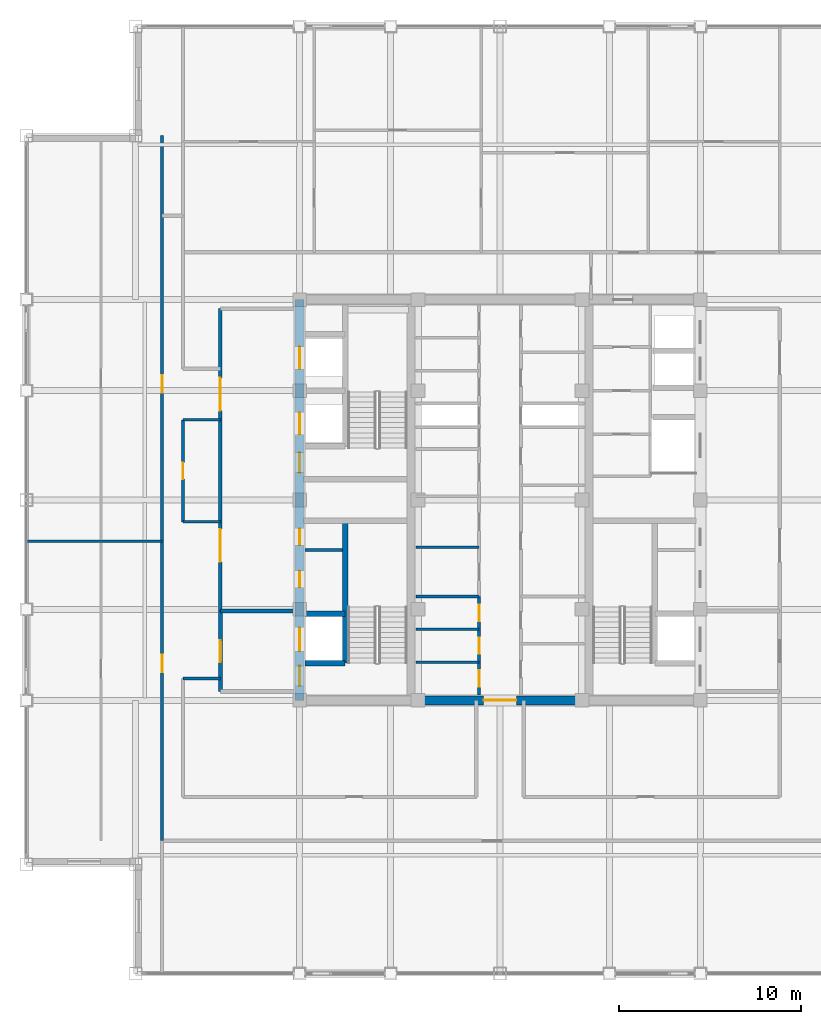
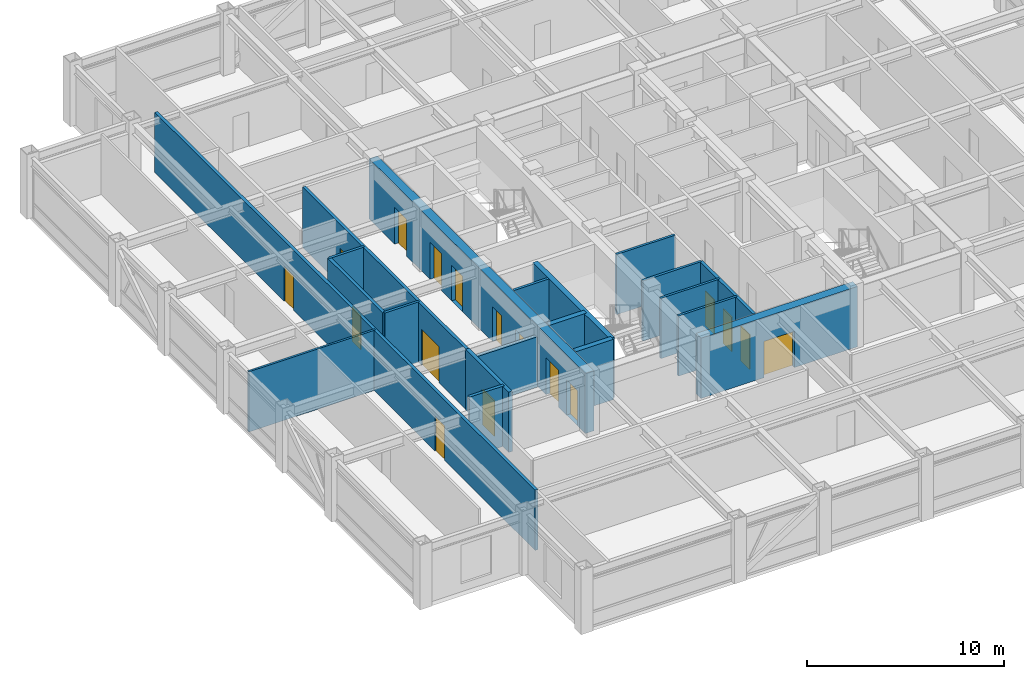
# One storey, part 24 of 29: 20 walls, 17 doors, 17 openings.
"""IFC4 building model written with IfcOpenShell, lengths in metres."""

from ifc_helpers import new_model, si_unit, direction, frame, frame_2d, origin, place, context, subcontext, project, spatial, rectangle, extrude, source, transform, mapped, material, layer, layer_set, type_object, element, fill, save


model = new_model("IFC4")

# Units and contexts
model_context = context("Model", 3, precision=1e-05, world=origin(), true_north=direction((0.0, 1.0)))
body_context = subcontext(model_context, "Body", "Model", "MODEL_VIEW")
ifc_project = project(units=[si_unit("LENGTHUNIT", "METRE"), si_unit("AREAUNIT", "SQUARE_METRE"), si_unit("VOLUMEUNIT", "CUBIC_METRE"), si_unit("PLANEANGLEUNIT", "RADIAN"), si_unit("MASSUNIT", "GRAM", prefix="KILO")], contexts=[model_context])

# Site, building, storey
site_placement = place(None, origin())
site = spatial("IfcSite", under=ifc_project, at=site_placement, CompositionType="ELEMENT")
building_placement = place(site_placement, origin())
building = spatial("IfcBuilding", under=site, at=building_placement, Name="Khorayat Bourse Tower", CompositionType="ELEMENT")
storey_placement = place(building_placement, frame((0.0, 0.0, 366.300048828125)))
storey = spatial("IfcBuildingStorey", under=building, at=storey_placement, Name="L87", CompositionType="ELEMENT", Elevation=366.300048828125)

# Wall, openings, doors
ifc_material_1 = material(Name="Concrete C52/65", Category="concrete")
ifc_layer_1 = layer(ifc_material_1, 0.5)
ifc_layer_set_1 = layer_set([ifc_layer_1], Name="Concrete C52/65")
wall_type_1 = type_object("IfcWallType", Name="WAL-CORE-500", PredefinedType="SHEAR", material=ifc_layer_set_1)
shared_shape_1 = source(origin(), body_context, "Body", "SweptSolid", [
    extrude(rectangle(XDim=22.0, YDim=0.5, at=frame_2d((11.0, 0.0))), origin(), (0.0, 0.0, 1.0), 3.739990234375),
])
wall_1_placement = place(storey_placement, frame((-11.0, -11.0, 0.0), z_axis=(0.0, 0.0, 1.0), x_axis=(0.0, 1.0, 0.0)))
wall_1 = element("IfcWall", 1, at=wall_1_placement, inside=storey, type_object=wall_type_1, Name="L87 Core Shear Wall CORE-W", PredefinedType="SHEAR", context=body_context, shape_type="MappedRepresentation", body=[
    mapped(shared_shape_1, transform((0.0, 0.0, 0.0), scale=1.0)),
])
shared_shape_2 = source(origin(), body_context, "Body", "SweptSolid", [
    extrude(rectangle(XDim=1.10009765625, YDim=2.199951171875, at=frame_2d((0.550048828125, 1.10009765625))), frame((0.0, 0.260009765625, 0.0), z_axis=(0.0, -1.0, 0.0), x_axis=(1.0, 0.0, 0.0)), (0.0, 0.0, 1.0), 0.52001953125),
])
opening_1_placement = place(wall_1_placement, frame((0.800048828125, 0.0, 0.0)))
opening_1 = element("IfcOpeningElement", 2, at=opening_1_placement, cuts=wall_1, Name="Opening DI-01", PredefinedType="OPENING", context=body_context, shape_type="MappedRepresentation", body=[
    mapped(shared_shape_2, transform((0.0, 0.0, 0.0), scale=1.0)),
])
opening_2_placement = place(wall_1_placement, frame((12.5, 0.0, 0.0)))
opening_2 = element("IfcOpeningElement", 3, at=opening_2_placement, cuts=wall_1, Name="Opening DI-01", PredefinedType="OPENING", context=body_context, shape_type="MappedRepresentation", body=[
    mapped(shared_shape_2, transform((0.0, 0.0, 0.0), scale=1.0)),
])
shared_shape_3 = source(origin(), body_context, "Body", "SweptSolid", [
    extrude(rectangle(XDim=0.89990234375, YDim=2.14990234375, at=frame_2d((0.449951171875, 1.074951171875))), frame((0.0, 0.260009765625, 0.0), z_axis=(0.0, -1.0, 0.0), x_axis=(1.0, 0.0, 0.0)), (0.0, 0.0, 1.0), 0.52001953125),
])
opening_3_placement = place(wall_1_placement, frame((6.199951171875, 0.0, 0.0)))
opening_3 = element("IfcOpeningElement", 4, at=opening_3_placement, cuts=wall_1, Name="Opening DI-06", PredefinedType="OPENING", context=body_context, shape_type="MappedRepresentation", body=[
    mapped(shared_shape_3, transform((0.0, 0.0, 0.0), scale=1.0)),
])
opening_4_placement = place(wall_1_placement, frame((8.52490234375, 0.0, 0.0)))
opening_4 = element("IfcOpeningElement", 5, at=opening_4_placement, cuts=wall_1, Name="Opening DI-06", PredefinedType="OPENING", context=body_context, shape_type="MappedRepresentation", body=[
    mapped(shared_shape_3, transform((0.0, 0.0, 0.0), scale=1.0)),
])
shared_shape_4 = source(origin(), body_context, "Body", "SweptSolid", [
    extrude(rectangle(XDim=1.199951171875, YDim=2.300048828125, at=frame_2d((0.60009765625, 1.14990234375))), frame((0.0, 0.260009765625, 0.0), z_axis=(0.0, -1.0, 0.0), x_axis=(1.0, 0.0, 0.0)), (0.0, 0.0, 1.0), 0.52001953125),
])
opening_5_placement = place(wall_1_placement, frame((14.60009765625, 0.0, 0.0)))
opening_5 = element("IfcOpeningElement", 6, at=opening_5_placement, cuts=wall_1, Name="Opening LD-01", PredefinedType="OPENING", context=body_context, shape_type="MappedRepresentation", body=[
    mapped(shared_shape_4, transform((0.0, 0.0, 0.0), scale=1.0)),
])
opening_6_placement = place(wall_1_placement, frame((18.199951171875, 0.0, 0.0)))
opening_6 = element("IfcOpeningElement", 7, at=opening_6_placement, cuts=wall_1, Name="Opening LD-01", PredefinedType="OPENING", context=body_context, shape_type="MappedRepresentation", body=[
    mapped(shared_shape_4, transform((0.0, 0.0, 0.0), scale=1.0)),
])
shared_shape_5 = source(origin(), body_context, "Body", "SweptSolid", [
    extrude(rectangle(XDim=1.300048828125, YDim=2.300048828125, at=frame_2d((0.64990234375, 1.14990234375))), frame((0.0, 0.260009765625, 0.0), z_axis=(0.0, -1.0, 0.0), x_axis=(1.0, 0.0, 0.0)), (0.0, 0.0, 1.0), 0.52001953125),
])
opening_7_placement = place(wall_1_placement, frame((2.699951171875, 0.0, 0.0)))
opening_7 = element("IfcOpeningElement", 8, at=opening_7_placement, cuts=wall_1, Name="Opening LD-02", PredefinedType="OPENING", context=body_context, shape_type="MappedRepresentation", body=[
    mapped(shared_shape_5, transform((0.0, 0.0, 0.0), scale=1.0)),
])
ifc_material_2 = material(Name="Fire-rated steel acoustic leaf", Category="steel")
door_type_1 = type_object("IfcDoorType", Name="DR-INT-STAIR-1100", OperationType="NOTDEFINED", PredefinedType="DOOR", material=ifc_material_2)
shared_shape_6 = source(origin(), body_context, "Body", "SweptSolid", [
    extrude(rectangle(XDim=1.10009765625, YDim=2.199951171875, at=frame_2d((0.550048828125, 1.10009765625))), frame((0.0, 0.02490234375, 0.0), z_axis=(0.0, -1.0, 0.0), x_axis=(1.0, 0.0, 0.0)), (0.0, 0.0, 1.0), 0.050048828125),
])
door_1_placement = place(opening_1_placement, origin())
door_1 = element("IfcDoor", 9, at=door_1_placement, inside=storey, type_object=door_type_1, Name="L87 Exit Stair 1 Door", OperationType="SINGLE_SWING_RIGHT", OverallHeight=2.199951171875, OverallWidth=1.10009765625, PredefinedType="DOOR", context=body_context, shape_type="MappedRepresentation", body=[
    mapped(shared_shape_6, transform((0.0, 0.0, 0.0), scale=1.0)),
])
fill(opening_1, door_1)
door_2_placement = place(opening_2_placement, origin())
door_2 = element("IfcDoor", 10, at=door_2_placement, inside=storey, type_object=door_type_1, Name="L87 Exit Stair 2 Door", OperationType="SINGLE_SWING_RIGHT", OverallHeight=2.199951171875, OverallWidth=1.10009765625, PredefinedType="DOOR", context=body_context, shape_type="MappedRepresentation", body=[
    mapped(shared_shape_6, transform((0.0, 0.0, 0.0), scale=1.0)),
])
fill(opening_2, door_2)
ifc_material_3 = material(Name="Moisture-resistant laminate washroom door")
door_type_2 = type_object("IfcDoorType", Name="DR-INT-WC-900", OperationType="NOTDEFINED", PredefinedType="DOOR", material=ifc_material_3)
shared_shape_7 = source(origin(), body_context, "Body", "SweptSolid", [
    extrude(rectangle(XDim=0.89990234375, YDim=2.14990234375, at=frame_2d((0.449951171875, 1.074951171875))), frame((0.0, 0.02490234375, 0.0), z_axis=(0.0, -1.0, 0.0), x_axis=(1.0, 0.0, 0.0)), (0.0, 0.0, 1.0), 0.050048828125),
])
door_3_placement = place(opening_3_placement, origin())
door_3 = element("IfcDoor", 11, at=door_3_placement, inside=storey, type_object=door_type_2, Name="L87 Switch Closet Door", OperationType="SINGLE_SWING_RIGHT", OverallHeight=2.14990234375, OverallWidth=0.89990234375, PredefinedType="DOOR", context=body_context, shape_type="MappedRepresentation", body=[
    mapped(shared_shape_7, transform((0.0, 0.0, 0.0), scale=1.0)),
])
fill(opening_3, door_3)
door_4_placement = place(opening_4_placement, origin())
door_4 = element("IfcDoor", 12, at=door_4_placement, inside=storey, type_object=door_type_2, Name="L87 Janitor Store Door", OperationType="SINGLE_SWING_LEFT", OverallHeight=2.14990234375, OverallWidth=0.89990234375, PredefinedType="DOOR", context=body_context, shape_type="MappedRepresentation", body=[
    mapped(shared_shape_7, transform((0.0, 0.0, 0.0), scale=1.0)),
])
fill(opening_4, door_4)
ifc_material_4 = material(Name="Brushed bronze stainless-steel sliding door", Category="steel")
door_type_3 = type_object("IfcDoorType", Name="DR-LIFT-PASS-1200", OperationType="NOTDEFINED", PredefinedType="DOOR", material=ifc_material_4)
shared_shape_8 = source(origin(), body_context, "Body", "SweptSolid", [
    extrude(rectangle(XDim=1.199951171875, YDim=2.300048828125, at=frame_2d((0.60009765625, 1.14990234375))), frame((0.0, 0.02490234375, 0.0), z_axis=(0.0, -1.0, 0.0), x_axis=(1.0, 0.0, 0.0)), (0.0, 0.0, 1.0), 0.050048828125),
])
door_5_placement = place(opening_5_placement, origin())
door_5 = element("IfcDoor", 13, at=door_5_placement, inside=storey, type_object=door_type_3, Name="L87 Lift PL-H1 Sliding Landing Door", OperationType="SLIDING_TO_LEFT", OverallHeight=2.300048828125, OverallWidth=1.199951171875, PredefinedType="DOOR", context=body_context, shape_type="MappedRepresentation", body=[
    mapped(shared_shape_8, transform((0.0, 0.0, 0.0), scale=1.0)),
])
fill(opening_5, door_5)
door_6_placement = place(opening_6_placement, origin())
door_6 = element("IfcDoor", 14, at=door_6_placement, inside=storey, type_object=door_type_3, Name="L87 Lift PL-H2 Sliding Landing Door", OperationType="SLIDING_TO_LEFT", OverallHeight=2.300048828125, OverallWidth=1.199951171875, PredefinedType="DOOR", context=body_context, shape_type="MappedRepresentation", body=[
    mapped(shared_shape_8, transform((0.0, 0.0, 0.0), scale=1.0)),
])
fill(opening_6, door_6)
ifc_material_5 = material(Name="Fire-rated stainless-steel sliding landing door", Category="steel")
door_type_4 = type_object("IfcDoorType", Name="DR-LIFT-FF-1300", OperationType="NOTDEFINED", PredefinedType="DOOR", material=ifc_material_5)
shared_shape_9 = source(origin(), body_context, "Body", "SweptSolid", [
    extrude(rectangle(XDim=1.300048828125, YDim=2.300048828125, at=frame_2d((0.64990234375, 1.14990234375))), frame((0.0, 0.02490234375, 0.0), z_axis=(0.0, -1.0, 0.0), x_axis=(1.0, 0.0, 0.0)), (0.0, 0.0, 1.0), 0.050048828125),
])
door_7_placement = place(opening_7_placement, origin())
door_7 = element("IfcDoor", 15, at=door_7_placement, inside=storey, type_object=door_type_4, Name="L87 Lift FFL-01 Sliding Landing Door", OperationType="SLIDING_TO_LEFT", OverallHeight=2.300048828125, OverallWidth=1.300048828125, PredefinedType="DOOR", context=body_context, shape_type="MappedRepresentation", body=[
    mapped(shared_shape_9, transform((0.0, 0.0, 0.0), scale=1.0)),
])
fill(opening_7, door_7)

# Wall, opening, door
shared_shape_10 = source(origin(), body_context, "Body", "SweptSolid", [
    extrude(rectangle(XDim=9.2001953125, YDim=0.5, at=frame_2d((4.60009765625, 0.0))), origin(), (0.0, 0.0, 1.0), 3.739990234375),
])
wall_2_placement = place(storey_placement, frame((-4.60009765625, -11.0, 0.0), z_axis=(0.0, 0.0, 1.0), x_axis=(1.0, 0.0, 0.0)))
wall_2 = element("IfcWall", 16, at=wall_2_placement, inside=storey, type_object=wall_type_1, Name="L87 Core Shear Wall CORE-S", PredefinedType="SHEAR", context=body_context, shape_type="MappedRepresentation", body=[
    mapped(shared_shape_10, transform((0.0, 0.0, 0.0), scale=1.0)),
])
shared_shape_11 = source(origin(), body_context, "Body", "SweptSolid", [
    extrude(rectangle(XDim=1.800048828125, YDim=2.25, at=frame_2d((0.89990234375, 1.125))), frame((0.0, 0.260009765625, 0.0), z_axis=(0.0, -1.0, 0.0), x_axis=(1.0, 0.0, 0.0)), (0.0, 0.0, 1.0), 0.52001953125),
])
opening_8_placement = place(wall_2_placement, frame((3.699951171875, 0.0, 0.0)))
opening_8 = element("IfcOpeningElement", 17, at=opening_8_placement, cuts=wall_2, Name="Opening DI-03", PredefinedType="OPENING", context=body_context, shape_type="MappedRepresentation", body=[
    mapped(shared_shape_11, transform((0.0, 0.0, 0.0), scale=1.0)),
])
ifc_material_6 = material(Name="Fire-rated hardwood vision-panel double leaf", Category="wood")
door_type_5 = type_object("IfcDoorType", Name="DR-INT-CORR-1800", OperationType="NOTDEFINED", PredefinedType="DOOR", material=ifc_material_6)
shared_shape_12 = source(origin(), body_context, "Body", "SweptSolid", [
    extrude(rectangle(XDim=1.800048828125, YDim=2.25, at=frame_2d((0.89990234375, 1.125))), frame((0.0, 0.02490234375, 0.0), z_axis=(0.0, -1.0, 0.0), x_axis=(1.0, 0.0, 0.0)), (0.0, 0.0, 1.0), 0.050048828125),
])
door_8_placement = place(opening_8_placement, origin())
door_8 = element("IfcDoor", 18, at=door_8_placement, inside=storey, type_object=door_type_5, Name="L87 Central Core South Passage Door", OperationType="SINGLE_SWING_LEFT", OverallHeight=2.25, OverallWidth=1.800048828125, PredefinedType="DOOR", context=body_context, shape_type="MappedRepresentation", body=[
    mapped(shared_shape_12, transform((0.0, 0.0, 0.0), scale=1.0)),
])
fill(opening_8, door_8)

# Walls
ifc_material_7 = material(Name="Concrete C50/60", Category="concrete")
ifc_layer_2 = layer(ifc_material_7, 0.300048828125)
ifc_layer_set_2 = layer_set([ifc_layer_2], Name="Concrete C50/60")
wall_type_2 = type_object("IfcWallType", Name="WAL-SHAFT-300", PredefinedType="SHEAR", material=ifc_layer_set_2)
shared_shape_13 = source(origin(), body_context, "Body", "SweptSolid", [
    extrude(rectangle(XDim=7.800048828125, YDim=0.300048828125, at=frame_2d((3.89990234375, 0.0))), origin(), (0.0, 0.0, 1.0), 3.739990234375),
])
wall_3_placement = place(storey_placement, frame((-8.5, -8.949951171875, 0.0), z_axis=(0.0, 0.0, 1.0), x_axis=(0.0, 1.0, 0.0)))
element("IfcWall", 19, at=wall_3_placement, inside=storey, type_object=wall_type_2, Name="L87 Partition WAL-L87-WPIER-SP", PredefinedType="SHEAR", context=body_context, shape_type="MappedRepresentation", body=[
    mapped(shared_shape_13, transform((0.0, 0.0, 0.0), scale=1.0)),
])
shared_shape_14 = source(origin(), body_context, "Body", "SweptSolid", [
    extrude(rectangle(XDim=2.199951171875, YDim=0.300048828125, at=frame_2d((1.10009765625, 0.0))), origin(), (0.0, 0.0, 1.0), 3.739990234375),
])
for number, where, z_axis, x_axis, name in (
    (20, (-10.699951171875, -8.949951171875, 0.0), (0.0, 0.0, 1.0), (1.0, 0.0, 0.0), "L87 Partition WAL-L87-WPIER-FF1S"),
    (21, (-10.699951171875, -6.25, 0.0), (0.0, 0.0, 1.0), (1.0, 0.0, 0.0), "L87 Partition WAL-L87-WPIER-FF1N"),
):
    element("IfcWall", number, at=place(storey_placement, frame(where, z_axis=z_axis, x_axis=x_axis)), inside=storey, type_object=wall_type_2, Name=name, PredefinedType="SHEAR", context=body_context, shape_type="MappedRepresentation", body=[
        mapped(shared_shape_14, transform((0.0, 0.0, 0.0), scale=1.0)),
    ])
ifc_material_8 = material(Name="Gypsum plasterboard twin-frame partition")
ifc_layer_3 = layer(ifc_material_8, 0.14990234375)
ifc_layer_set_3 = layer_set([ifc_layer_3], Name="Gypsum plasterboard twin-frame partition")
wall_type_3 = type_object("IfcWallType", Name="WAL-PART-SUITE-150", PredefinedType="PARTITIONING", material=ifc_layer_set_3)
shared_shape_15 = source(origin(), body_context, "Body", "SweptSolid", [
    extrude(rectangle(XDim=2.050048828125, YDim=0.14990234375, at=frame_2d((1.02490234375, 0.0))), origin(), (0.0, 0.0, 1.0), 3.739990234375),
])
wall_4_placement = place(storey_placement, frame((-10.699951171875, -2.75, 0.0), z_axis=(0.0, 0.0, 1.0), x_axis=(1.0, 0.0, 0.0)))
element("IfcWall", 22, at=wall_4_placement, inside=storey, type_object=wall_type_3, Name="L87 Partition WAL-L87-WSRV-D1", PredefinedType="PARTITIONING", context=body_context, shape_type="MappedRepresentation", body=[
    mapped(shared_shape_15, transform((0.0, 0.0, 0.0), scale=1.0)),
])
ifc_material_9 = material(Name="Aerated concrete blockwork", Category="masonry")
ifc_layer_4 = layer(ifc_material_9, 0.219970703125)
ifc_layer_set_4 = layer_set([ifc_layer_4], Name="Aerated concrete blockwork")
wall_type_4 = type_object("IfcWallType", Name="WAL-PART-FF-220", PredefinedType="PARTITIONING", material=ifc_layer_set_4)
shared_shape_16 = source(origin(), body_context, "Body", "SweptSolid", [
    extrude(rectangle(XDim=4.050048828125, YDim=0.219970703125, at=frame_2d((2.02490234375, 0.0))), origin(), (0.0, 0.0, 1.0), 3.1240234375),
])
wall_5_placement = place(storey_placement, frame((-15.35009765625, -6.10009765625, 0.0), z_axis=(0.0, 0.0, 1.0), x_axis=(1.0, 0.0, 0.0)))
element("IfcWall", 23, at=wall_5_placement, inside=storey, type_object=wall_type_4, Name="L87 Partition WAL-L87-FFLW-N", PredefinedType="PARTITIONING", context=body_context, shape_type="MappedRepresentation", body=[
    mapped(shared_shape_16, transform((0.0, 0.0, 0.0), scale=1.0)),
])

# Wall, opening, door
shared_shape_17 = source(origin(), body_context, "Body", "SweptSolid", [
    extrude(rectangle(XDim=4.39990234375, YDim=0.219970703125, at=frame_2d((2.199951171875, 0.0))), origin(), (0.0, 0.0, 1.0), 3.739990234375),
])
wall_6_placement = place(storey_placement, frame((-15.35009765625, -10.5, 0.0), z_axis=(0.0, 0.0, 1.0), x_axis=(0.0, 1.0, 0.0)))
wall_6 = element("IfcWall", 24, at=wall_6_placement, inside=storey, type_object=wall_type_4, Name="L87 Partition WAL-L87-FFLW-W", PredefinedType="PARTITIONING", context=body_context, shape_type="MappedRepresentation", body=[
    mapped(shared_shape_17, transform((0.0, 0.0, 0.0), scale=1.0)),
])
shared_shape_18 = source(origin(), body_context, "Body", "SweptSolid", [
    extrude(rectangle(XDim=1.199951171875, YDim=2.199951171875, at=frame_2d((0.60009765625, 1.10009765625))), frame((0.0, 0.119873046875, 0.0), z_axis=(0.0, -1.0, 0.0), x_axis=(1.0, 0.0, 0.0)), (0.0, 0.0, 1.0), 0.239990234375),
])
opening_9_placement = place(wall_6_placement, frame((1.60009765625, 0.0, 0.0)))
opening_9 = element("IfcOpeningElement", 25, at=opening_9_placement, cuts=wall_6, Name="Opening DI-02", PredefinedType="OPENING", context=body_context, shape_type="MappedRepresentation", body=[
    mapped(shared_shape_18, transform((0.0, 0.0, 0.0), scale=1.0)),
])
ifc_material_10 = material(Name="Fire-rated steel double-seal leaf", Category="steel")
door_type_6 = type_object("IfcDoorType", Name="DR-INT-FFLOBBY-1200", OperationType="NOTDEFINED", PredefinedType="DOOR", material=ifc_material_10)
shared_shape_19 = source(origin(), body_context, "Body", "SweptSolid", [
    extrude(rectangle(XDim=1.199951171875, YDim=2.199951171875, at=frame_2d((0.60009765625, 1.10009765625))), frame((0.0, 0.02490234375, 0.0), z_axis=(0.0, -1.0, 0.0), x_axis=(1.0, 0.0, 0.0)), (0.0, 0.0, 1.0), 0.050048828125),
])
door_9_placement = place(opening_9_placement, origin())
door_9 = element("IfcDoor", 26, at=door_9_placement, inside=storey, type_object=door_type_6, Name="L87 West Firefighting Lobby Door", OperationType="SINGLE_SWING_LEFT", OverallHeight=2.199951171875, OverallWidth=1.199951171875, PredefinedType="DOOR", context=body_context, shape_type="MappedRepresentation", body=[
    mapped(shared_shape_19, transform((0.0, 0.0, 0.0), scale=1.0)),
])
fill(opening_9, door_9)

# Wall, openings, doors
ifc_material_11 = material(Name="Gypsum plasterboard acoustic stud wall")
ifc_layer_5 = layer(ifc_material_11, 0.179931640625)
ifc_layer_set_5 = layer_set([ifc_layer_5], Name="Gypsum plasterboard acoustic stud wall")
wall_type_5 = type_object("IfcWallType", Name="WAL-PART-CORR-180", PredefinedType="PARTITIONING", material=ifc_layer_set_5)
shared_shape_20 = source(origin(), body_context, "Body", "SweptSolid", [
    extrude(rectangle(XDim=16.60009765625, YDim=0.179931640625, at=frame_2d((8.300048828125, 0.0))), origin(), (0.0, 0.0, 1.0), 3.739990234375),
])
wall_7_placement = place(storey_placement, frame((-15.35009765625, -6.10009765625, 0.0), z_axis=(0.0, 0.0, 1.0), x_axis=(0.0, 1.0, 0.0)))
wall_7 = element("IfcWall", 27, at=wall_7_placement, inside=storey, type_object=wall_type_5, Name="L87 Partition WAL-L87-WLOB-W", PredefinedType="PARTITIONING", context=body_context, shape_type="MappedRepresentation", body=[
    mapped(shared_shape_20, transform((0.0, 0.0, 0.0), scale=1.0)),
])
shared_shape_21 = source(origin(), body_context, "Body", "SweptSolid", [
    extrude(rectangle(XDim=1.800048828125, YDim=2.25, at=frame_2d((0.89990234375, 1.125))), frame((0.0, 0.099853515625, 0.0), z_axis=(0.0, -1.0, 0.0), x_axis=(1.0, 0.0, 0.0)), (0.0, 0.0, 1.0), 0.199951171875),
])
opening_10_placement = place(wall_7_placement, frame((2.699951171875, 0.0, 0.0)))
opening_10 = element("IfcOpeningElement", 28, at=opening_10_placement, cuts=wall_7, Name="Opening DI-03", PredefinedType="OPENING", context=body_context, shape_type="MappedRepresentation", body=[
    mapped(shared_shape_21, transform((0.0, 0.0, 0.0), scale=1.0)),
])
opening_11_placement = place(wall_7_placement, frame((11.0, 0.0, 0.0)))
opening_11 = element("IfcOpeningElement", 29, at=opening_11_placement, cuts=wall_7, Name="Opening DI-03", PredefinedType="OPENING", context=body_context, shape_type="MappedRepresentation", body=[
    mapped(shared_shape_21, transform((0.0, 0.0, 0.0), scale=1.0)),
])
door_10_placement = place(opening_10_placement, origin())
door_10 = element("IfcDoor", 30, at=door_10_placement, inside=storey, type_object=door_type_5, Name="L87 West Core Lobby South Door", OperationType="SINGLE_SWING_LEFT", OverallHeight=2.25, OverallWidth=1.800048828125, PredefinedType="DOOR", context=body_context, shape_type="MappedRepresentation", body=[
    mapped(shared_shape_12, transform((0.0, 0.0, 0.0), scale=1.0)),
])
fill(opening_10, door_10)
door_11_placement = place(opening_11_placement, origin())
door_11 = element("IfcDoor", 31, at=door_11_placement, inside=storey, type_object=door_type_5, Name="L87 West Core Lobby North Door", OperationType="SINGLE_SWING_RIGHT", OverallHeight=2.25, OverallWidth=1.800048828125, PredefinedType="DOOR", context=body_context, shape_type="MappedRepresentation", body=[
    mapped(shared_shape_12, transform((0.0, 0.0, 0.0), scale=1.0)),
])
fill(opening_11, door_11)

# Walls
shared_shape_22 = source(origin(), body_context, "Body", "SweptSolid", [
    extrude(rectangle(XDim=3.4501953125, YDim=0.14990234375, at=frame_2d((1.72509765625, 0.0))), origin(), (0.0, 0.0, 1.0), 3.739990234375),
])
wall_8_placement = place(storey_placement, frame((-4.60009765625, -5.300048828125, 0.0), z_axis=(0.0, 0.0, 1.0), x_axis=(1.0, 0.0, 0.0)))
element("IfcWall", 32, at=wall_8_placement, inside=storey, type_object=wall_type_3, Name="L87 Partition WAL-L87-FB1-NW", PredefinedType="PARTITIONING", context=body_context, shape_type="MappedRepresentation", body=[
    mapped(shared_shape_22, transform((0.0, 0.0, 0.0), scale=1.0)),
])
ifc_material_12 = material(Name="Moisture-resistant masonry partition", Category="masonry")
ifc_layer_6 = layer(ifc_material_12, 0.139892578125)
ifc_layer_set_6 = layer_set([ifc_layer_6], Name="Moisture-resistant masonry partition")
wall_type_6 = type_object("IfcWallType", Name="WAL-PART-WET-140", PredefinedType="PARTITIONING", material=ifc_layer_set_6)
shared_shape_23 = source(origin(), body_context, "Body", "SweptSolid", [
    extrude(rectangle(XDim=3.4501953125, YDim=0.139892578125, at=frame_2d((1.72509765625, 0.0))), origin(), (0.0, 0.0, 1.0), 3.739990234375),
])
for number, where, z_axis, x_axis, name in (
    (33, (-4.60009765625, -8.89990234375, 0.0), (0.0, 0.0, 1.0), (1.0, 0.0, 0.0), "L87 Partition WAL-L87-FB1W-D1"),
    (34, (-4.60009765625, -7.10009765625, 0.0), (0.0, 0.0, 1.0), (1.0, 0.0, 0.0), "L87 Partition WAL-L87-FB1W-D2"),
    (35, (-4.60009765625, -2.60009765625, 0.0), (0.0, 0.0, 1.0), (1.0, 0.0, 0.0), "L87 Partition WAL-L87-CMW-D1"),
):
    element("IfcWall", number, at=place(storey_placement, frame(where, z_axis=z_axis, x_axis=x_axis)), inside=storey, type_object=wall_type_6, Name=name, PredefinedType="PARTITIONING", context=body_context, shape_type="MappedRepresentation", body=[
        mapped(shared_shape_23, transform((0.0, 0.0, 0.0), scale=1.0)),
    ])

# Wall, openings, doors
shared_shape_24 = source(origin(), body_context, "Body", "SweptSolid", [
    extrude(rectangle(XDim=5.39990234375, YDim=0.179931640625, at=frame_2d((2.699951171875, 0.0))), origin(), (0.0, 0.0, 1.0), 3.739990234375),
])
wall_9_placement = place(storey_placement, frame((-1.14990234375, -10.699951171875, 0.0), z_axis=(0.0, 0.0, 1.0), x_axis=(0.0, 1.0, 0.0)))
wall_9 = element("IfcWall", 36, at=wall_9_placement, inside=storey, type_object=wall_type_5, Name="L87 Partition WAL-L87-FB1W-L", PredefinedType="PARTITIONING", context=body_context, shape_type="MappedRepresentation", body=[
    mapped(shared_shape_24, transform((0.0, 0.0, 0.0), scale=1.0)),
])
shared_shape_25 = source(origin(), body_context, "Body", "SweptSolid", [
    extrude(rectangle(XDim=0.89990234375, YDim=2.14990234375, at=frame_2d((0.449951171875, 1.074951171875))), frame((0.0, 0.099853515625, 0.0), z_axis=(0.0, -1.0, 0.0), x_axis=(1.0, 0.0, 0.0)), (0.0, 0.0, 1.0), 0.199951171875),
])
opening_12_placement = place(wall_9_placement, frame((0.449951171875, 0.0, 0.0)))
opening_12 = element("IfcOpeningElement", 37, at=opening_12_placement, cuts=wall_9, Name="Opening DI-06", PredefinedType="OPENING", context=body_context, shape_type="MappedRepresentation", body=[
    mapped(shared_shape_25, transform((0.0, 0.0, 0.0), scale=1.0)),
])
opening_13_placement = place(wall_9_placement, frame((2.25, 0.0, 0.0)))
opening_13 = element("IfcOpeningElement", 38, at=opening_13_placement, cuts=wall_9, Name="Opening DI-06", PredefinedType="OPENING", context=body_context, shape_type="MappedRepresentation", body=[
    mapped(shared_shape_25, transform((0.0, 0.0, 0.0), scale=1.0)),
])
opening_14_placement = place(wall_9_placement, frame((4.050048828125, 0.0, 0.0)))
opening_14 = element("IfcOpeningElement", 39, at=opening_14_placement, cuts=wall_9, Name="Opening DI-06", PredefinedType="OPENING", context=body_context, shape_type="MappedRepresentation", body=[
    mapped(shared_shape_25, transform((0.0, 0.0, 0.0), scale=1.0)),
])
door_12_placement = place(opening_12_placement, origin())
door_12 = element("IfcDoor", 40, at=door_12_placement, inside=storey, type_object=door_type_2, Name="L87 Archive Store A Door", OperationType="SINGLE_SWING_RIGHT", OverallHeight=2.14990234375, OverallWidth=0.89990234375, PredefinedType="DOOR", context=body_context, shape_type="MappedRepresentation", body=[
    mapped(shared_shape_7, transform((0.0, 0.0, 0.0), scale=1.0)),
])
fill(opening_12, door_12)
door_13_placement = place(opening_13_placement, origin())
door_13 = element("IfcDoor", 41, at=door_13_placement, inside=storey, type_object=door_type_2, Name="L87 Patch Comms Room Door", OperationType="SINGLE_SWING_LEFT", OverallHeight=2.14990234375, OverallWidth=0.89990234375, PredefinedType="DOOR", context=body_context, shape_type="MappedRepresentation", body=[
    mapped(shared_shape_7, transform((0.0, 0.0, 0.0), scale=1.0)),
])
fill(opening_13, door_13)
door_14_placement = place(opening_14_placement, origin())
door_14 = element("IfcDoor", 42, at=door_14_placement, inside=storey, type_object=door_type_2, Name="L87 Archive Store B Door", OperationType="SINGLE_SWING_RIGHT", OverallHeight=2.14990234375, OverallWidth=0.89990234375, PredefinedType="DOOR", context=body_context, shape_type="MappedRepresentation", body=[
    mapped(shared_shape_7, transform((0.0, 0.0, 0.0), scale=1.0)),
])
fill(opening_14, door_14)

# Wall, opening, door
shared_shape_26 = source(origin(), body_context, "Body", "SweptSolid", [
    extrude(rectangle(XDim=5.599853515625, YDim=0.179931640625, at=frame_2d((2.7998046875, 0.0))), origin(), (0.0, 0.0, 1.0), 3.739990234375),
])
wall_10_placement = place(storey_placement, frame((-17.39990234375, -1.199951171875, 0.0), z_axis=(0.0, 0.0, 1.0), x_axis=(0.0, 1.0, 0.0)))
wall_10 = element("IfcWall", 43, at=wall_10_placement, inside=storey, type_object=wall_type_5, Name="L87 Partition WAL-L87-PKWM-W", PredefinedType="PARTITIONING", context=body_context, shape_type="MappedRepresentation", body=[
    mapped(shared_shape_26, transform((0.0, 0.0, 0.0), scale=1.0)),
])
opening_15_placement = place(wall_10_placement, frame((2.35009765625, 0.0, 0.0)))
opening_15 = element("IfcOpeningElement", 44, at=opening_15_placement, cuts=wall_10, Name="Opening DI-06", PredefinedType="OPENING", context=body_context, shape_type="MappedRepresentation", body=[
    mapped(shared_shape_25, transform((0.0, 0.0, 0.0), scale=1.0)),
])
door_15_placement = place(opening_15_placement, origin())
door_15 = element("IfcDoor", 45, at=door_15_placement, inside=storey, type_object=door_type_2, Name="L87 West Inboard Focus Door", OperationType="SINGLE_SWING_LEFT", OverallHeight=2.14990234375, OverallWidth=0.89990234375, PredefinedType="DOOR", context=body_context, shape_type="MappedRepresentation", body=[
    mapped(shared_shape_7, transform((0.0, 0.0, 0.0), scale=1.0)),
])
fill(opening_15, door_15)

# Walls
shared_shape_27 = source(origin(), body_context, "Body", "SweptSolid", [
    extrude(rectangle(XDim=2.0498046875, YDim=0.14990234375, at=frame_2d((1.02490234375, 0.0))), origin(), (0.0, 0.0, 1.0), 3.739990234375),
])
for number, where, z_axis, x_axis, name in (
    (46, (-17.39990234375, -1.199951171875, 0.0), (0.0, 0.0, 1.0), (1.0, 0.0, 0.0), "L87 Partition WAL-L87-PKWM-S"),
    (47, (-17.39990234375, 4.39990234375, 0.0), (0.0, 0.0, 1.0), (1.0, 0.0, 0.0), "L87 Partition WAL-L87-PKWM-N"),
):
    element("IfcWall", number, at=place(storey_placement, frame(where, z_axis=z_axis, x_axis=x_axis)), inside=storey, type_object=wall_type_3, Name=name, PredefinedType="PARTITIONING", context=body_context, shape_type="MappedRepresentation", body=[
        mapped(shared_shape_27, transform((0.0, 0.0, 0.0), scale=1.0)),
    ])
shared_shape_28 = source(origin(), body_context, "Body", "SweptSolid", [
    extrude(rectangle(XDim=2.0498046875, YDim=0.179931640625, at=frame_2d((1.02490234375, 0.0))), origin(), (0.0, 0.0, 1.0), 3.739990234375),
])
wall_11_placement = place(storey_placement, frame((-17.39990234375, -9.800048828125, 0.0), z_axis=(0.0, 0.0, 1.0), x_axis=(1.0, 0.0, 0.0)))
element("IfcWall", 48, at=wall_11_placement, inside=storey, type_object=wall_type_5, Name="L87 Partition WAL-L87-THRW-S", PredefinedType="PARTITIONING", context=body_context, shape_type="MappedRepresentation", body=[
    mapped(shared_shape_28, transform((0.0, 0.0, 0.0), scale=1.0)),
])
ifc_material_13 = material(Name="Gypsum plasterboard partition")
ifc_layer_7 = layer(ifc_material_13, 0.125)
ifc_layer_set_7 = layer_set([ifc_layer_7], Name="Gypsum plasterboard partition")
wall_type_7 = type_object("IfcWallType", Name="WAL-PART-ROOM-125", PredefinedType="PARTITIONING", material=ifc_layer_set_7)
shared_shape_29 = source(origin(), body_context, "Body", "SweptSolid", [
    extrude(rectangle(XDim=7.449951171875, YDim=0.125, at=frame_2d((3.72509765625, 0.0))), origin(), (0.0, 0.0, 1.0), 3.739990234375),
])
wall_12_placement = place(storey_placement, frame((-26.0, -2.263916015625, 0.0), z_axis=(0.0, 0.0, 1.0), x_axis=(1.0, 0.0, 0.0)))
element("IfcWall", 49, at=wall_12_placement, inside=storey, type_object=wall_type_7, Name="L87 Partition WAL-L87-WDV-1", PredefinedType="PARTITIONING", context=body_context, shape_type="MappedRepresentation", body=[
    mapped(shared_shape_29, transform((0.0, 0.0, 0.0), scale=1.0)),
])

# Wall, openings, doors
shared_shape_30 = source(origin(), body_context, "Body", "SweptSolid", [
    extrude(rectangle(XDim=38.699951171875, YDim=0.179931640625, at=frame_2d((19.35009765625, 0.0))), origin(), (0.0, 0.0, 1.0), 3.739990234375),
])
wall_13_placement = place(storey_placement, frame((-18.550048828125, -18.699951171875, 0.0), z_axis=(0.0, 0.0, 1.0), x_axis=(0.0, 1.0, 0.0)))
wall_13 = element("IfcWall", 50, at=wall_13_placement, inside=storey, type_object=wall_type_5, Name="L87 Partition WAL-L87-WCORR", PredefinedType="PARTITIONING", context=body_context, shape_type="MappedRepresentation", body=[
    mapped(shared_shape_30, transform((0.0, 0.0, 0.0), scale=1.0)),
])
shared_shape_31 = source(origin(), body_context, "Body", "SweptSolid", [
    extrude(rectangle(XDim=0.949951171875, YDim=2.14990234375, at=frame_2d((0.47509765625, 1.074951171875))), frame((0.0, 0.099853515625, 0.0), z_axis=(0.0, -1.0, 0.0), x_axis=(1.0, 0.0, 0.0)), (0.0, 0.0, 1.0), 0.199951171875),
])
opening_16_placement = place(wall_13_placement, frame((9.242919921875, 0.0, 0.0)))
opening_16 = element("IfcOpeningElement", 51, at=opening_16_placement, cuts=wall_13, Name="Opening DI-05", PredefinedType="OPENING", context=body_context, shape_type="MappedRepresentation", body=[
    mapped(shared_shape_31, transform((0.0, 0.0, 0.0), scale=1.0)),
])
opening_17_placement = place(wall_13_placement, frame((24.593017578125, 0.0, 0.0)))
opening_17 = element("IfcOpeningElement", 52, at=opening_17_placement, cuts=wall_13, Name="Opening DI-05", PredefinedType="OPENING", context=body_context, shape_type="MappedRepresentation", body=[
    mapped(shared_shape_31, transform((0.0, 0.0, 0.0), scale=1.0)),
])
ifc_material_14 = material(Name="Acoustic oak veneer office door")
door_type_7 = type_object("IfcDoorType", Name="DR-INT-OFFICE-950", OperationType="NOTDEFINED", PredefinedType="DOOR", material=ifc_material_14)
shared_shape_32 = source(origin(), body_context, "Body", "SweptSolid", [
    extrude(rectangle(XDim=0.949951171875, YDim=2.14990234375, at=frame_2d((0.47509765625, 1.074951171875))), frame((0.0, 0.02490234375, 0.0), z_axis=(0.0, -1.0, 0.0), x_axis=(1.0, 0.0, 0.0)), (0.0, 0.0, 1.0), 0.050048828125),
])
door_16_placement = place(opening_16_placement, origin())
door_16 = element("IfcDoor", 53, at=door_16_placement, inside=storey, type_object=door_type_7, Name="L87 Market Reference Library W1 Door", OperationType="SINGLE_SWING_RIGHT", OverallHeight=2.14990234375, OverallWidth=0.949951171875, PredefinedType="DOOR", context=body_context, shape_type="MappedRepresentation", body=[
    mapped(shared_shape_32, transform((0.0, 0.0, 0.0), scale=1.0)),
])
fill(opening_16, door_16)
door_17_placement = place(opening_17_placement, origin())
door_17 = element("IfcDoor", 54, at=door_17_placement, inside=storey, type_object=door_type_7, Name="L87 Brokerage Member Kiosk W2 Door", OperationType="SINGLE_SWING_LEFT", OverallHeight=2.14990234375, OverallWidth=0.949951171875, PredefinedType="DOOR", context=body_context, shape_type="MappedRepresentation", body=[
    mapped(shared_shape_32, transform((0.0, 0.0, 0.0), scale=1.0)),
])
fill(opening_17, door_17)

save(model, "model.ifc")
